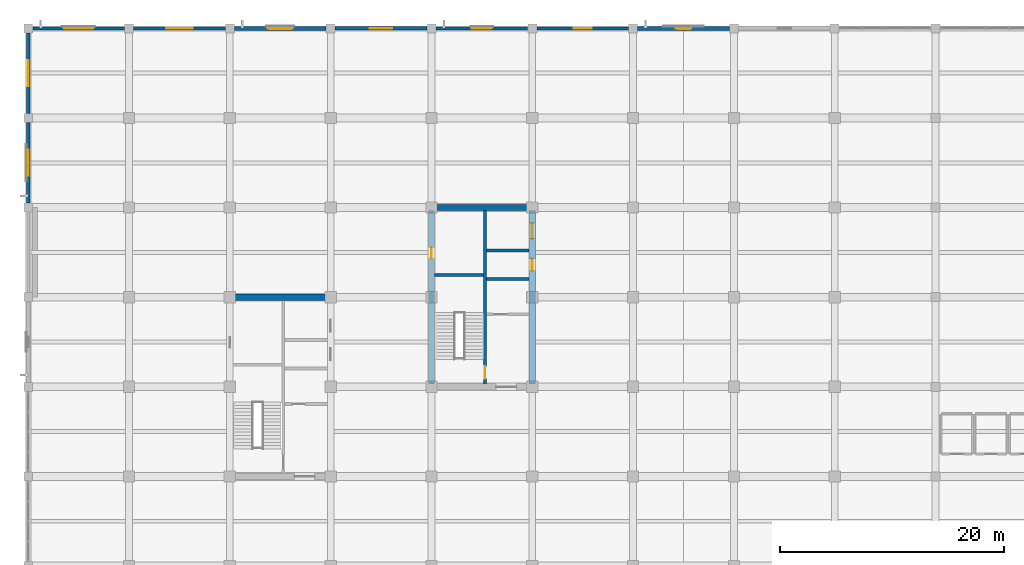
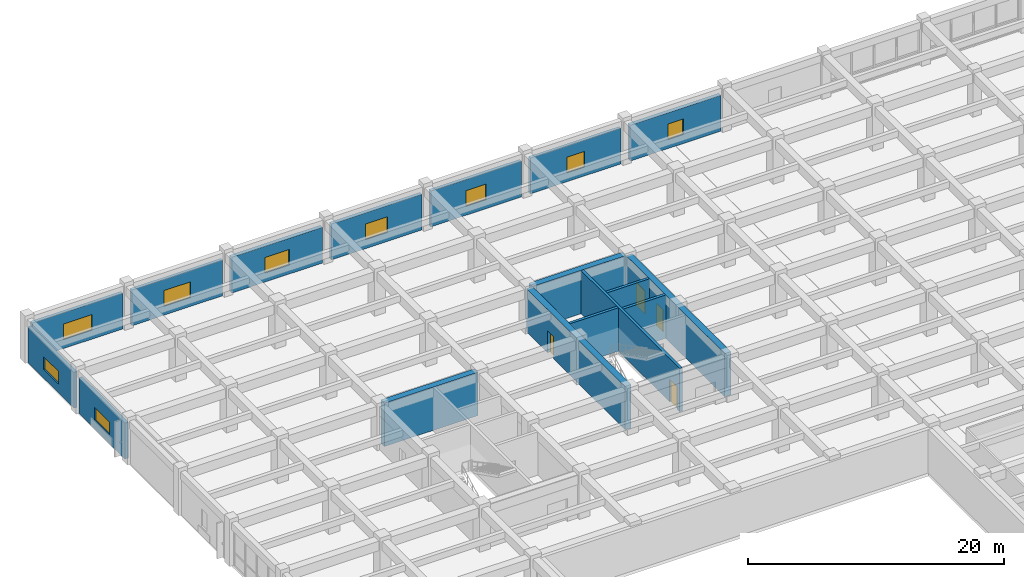
# One storey, part 30 of 50: 17 walls, 9 windows, 4 doors, 13 openings.
"""IFC4 building model written with IfcOpenShell, lengths in metres."""

from ifc_helpers import new_model, si_unit, direction, frame, frame_2d, origin, place, context, subcontext, project, spatial, rectangle, extrude, material, layer, layer_set, type_object, element, fill, save


model = new_model("IFC4")

# Units and contexts
model_context = context("Model", 3, precision=1e-05, world=origin(), true_north=direction((0.0, 1.0)))
body_context = subcontext(model_context, "Body", "Model", "MODEL_VIEW")
ifc_project = project(units=[si_unit("LENGTHUNIT", "METRE"), si_unit("AREAUNIT", "SQUARE_METRE"), si_unit("VOLUMEUNIT", "CUBIC_METRE"), si_unit("PLANEANGLEUNIT", "RADIAN"), si_unit("MASSUNIT", "GRAM", prefix="KILO")], contexts=[model_context])

# Site, building, storey
site_placement = place(None, origin())
site = spatial("IfcSite", under=ifc_project, at=site_placement, CompositionType="ELEMENT")
building_placement = place(site_placement, origin())
building = spatial("IfcBuilding", under=site, at=building_placement, Name="Zaverband Oceanarium and Marine Research Institute", CompositionType="ELEMENT")
storey_placement = place(building_placement, frame((0.0, 0.0, 9.0)))
storey = spatial("IfcBuildingStorey", under=building, at=storey_placement, Name="L02", CompositionType="ELEMENT", Elevation=9.0)

# Walls
ifc_material_1 = material(Name="Concrete C50/60", Category="concrete")
ifc_layer_1 = layer(ifc_material_1, 0.550048828125, Name="Concrete C50/60")
ifc_layer_set_1 = layer_set([ifc_layer_1], Name="Concrete C50/60")
wall_type_1 = type_object("IfcWallType", Name="CW-01", PredefinedType="SHEAR", material=ifc_layer_set_1)
for number, where, z_axis, x_axis, name in (
    (1, (18.27490234375, 96.0, 0.0), (0.0, 0.0, 1.0), (1.0, 0.0, 0.0), "Structural shear wall CW-01"),
    (2, (36.27490234375, 104.0, 0.0), (0.0, 0.0, 1.0), (1.0, 0.0, 0.0), "Structural shear wall CW-01"),
):
    element("IfcWall", number, at=place(storey_placement, frame(where, z_axis=z_axis, x_axis=x_axis)), inside=storey, type_object=wall_type_1, Name=name, PredefinedType="SHEAR", context=body_context, shape_type="SweptSolid", body=[
        extrude(rectangle(XDim=8.4501953125, YDim=0.550048828125, at=frame_2d((4.22509765625, 0.0))), origin(), (0.0, 0.0, 1.0), 4.139892578125),
    ])

# Wall, opening, door
wall_1_placement = place(storey_placement, frame((36.0, 88.27490234375, 0.0), z_axis=(0.0, 0.0, 1.0), x_axis=(0.0, 1.0, 0.0)))
wall_1 = element("IfcWall", 3, at=wall_1_placement, inside=storey, type_object=wall_type_1, Name="Structural shear wall CW-01", PredefinedType="SHEAR", context=body_context, shape_type="SweptSolid", body=[
    extrude(rectangle(XDim=15.4501953125, YDim=0.550048828125, at=frame_2d((7.72509765625, 0.0))), origin(), (0.0, 0.0, 1.0), 4.139892578125),
])
opening_1_placement = place(wall_1_placement, frame((11.199951171875, 0.0, 0.0)))
opening_1 = element("IfcOpeningElement", 4, at=opening_1_placement, cuts=wall_1, Name="Opening FD-03", PredefinedType="OPENING", context=body_context, shape_type="SweptSolid", body=[
    extrude(rectangle(XDim=0.949951171875, YDim=2.10009765625, at=frame_2d((0.47509765625, 1.050048828125))), frame((0.0, 0.287109375, 0.0), z_axis=(0.0, -1.0, 0.0), x_axis=(1.0, 0.0, 0.0)), (0.0, 0.0, 1.0), 0.573974609375),
])
ifc_material_2 = material(Name="Steel S355", Category="steel")
door_type_1 = type_object("IfcDoorType", Name="FD-03", OperationType="NOTDEFINED", PredefinedType="DOOR", material=ifc_material_2)
door_1_placement = place(opening_1_placement, origin())
door_1 = element("IfcDoor", 5, at=door_1_placement, inside=storey, type_object=door_type_1, Name="Service riser access fire door FD-03", OperationType="SINGLE_SWING_RIGHT", OverallHeight=2.10009765625, OverallWidth=0.949951171875, PredefinedType="DOOR", context=body_context, shape_type="SweptSolid", body=[
    extrude(rectangle(XDim=0.949951171875, YDim=2.10009765625, at=frame_2d((0.47509765625, 1.050048828125))), frame((0.0, 0.02490234375, 0.0), z_axis=(0.0, -1.0, 0.0), x_axis=(1.0, 0.0, 0.0)), (0.0, 0.0, 1.0), 0.050048828125),
])
fill(opening_1, door_1)

# Wall, openings, doors
wall_2_placement = place(storey_placement, frame((45.0, 88.27490234375, 0.0), z_axis=(0.0, 0.0, 1.0), x_axis=(0.0, 1.0, 0.0)))
wall_2 = element("IfcWall", 6, at=wall_2_placement, inside=storey, type_object=wall_type_1, Name="Structural shear wall CW-01", PredefinedType="SHEAR", context=body_context, shape_type="SweptSolid", body=[
    extrude(rectangle(XDim=15.4501953125, YDim=0.550048828125, at=frame_2d((7.72509765625, 0.0))), origin(), (0.0, 0.0, 1.0), 4.139892578125),
])
opening_2_placement = place(wall_2_placement, frame((10.10009765625, 0.0, 0.0)))
opening_2 = element("IfcOpeningElement", 7, at=opening_2_placement, cuts=wall_2, Name="Opening LD-02", PredefinedType="OPENING", context=body_context, shape_type="SweptSolid", body=[
    extrude(rectangle(XDim=1.050048828125, YDim=2.1201171875, at=frame_2d((0.52490234375, 1.06005859375))), frame((0.0, 0.287109375, 0.0), z_axis=(0.0, -1.0, 0.0), x_axis=(1.0, 0.0, 0.0)), (0.0, 0.0, 1.0), 0.573974609375),
])
opening_3_placement = place(wall_2_placement, frame((12.949951171875, 0.0, 0.0)))
opening_3 = element("IfcOpeningElement", 8, at=opening_3_placement, cuts=wall_2, Name="Opening LD-03", PredefinedType="OPENING", context=body_context, shape_type="SweptSolid", body=[
    extrude(rectangle(XDim=1.39990234375, YDim=2.199951171875, at=frame_2d((0.699951171875, 1.10009765625))), frame((0.0, 0.287109375, 0.0), z_axis=(0.0, -1.0, 0.0), x_axis=(1.0, 0.0, 0.0)), (0.0, 0.0, 1.0), 0.573974609375),
])
door_type_2 = type_object("IfcDoorType", Name="LD-02", OperationType="DOUBLE_DOOR_SLIDING", PredefinedType="DOOR", material=ifc_material_2)
door_2_placement = place(opening_2_placement, origin())
door_2 = element("IfcDoor", 9, at=door_2_placement, inside=storey, type_object=door_type_2, Name="Passenger lift sliding landing door LD-02", OperationType="DOUBLE_DOOR_SLIDING", OverallHeight=2.1201171875, OverallWidth=1.050048828125, PredefinedType="DOOR", context=body_context, shape_type="SweptSolid", body=[
    extrude(rectangle(XDim=1.050048828125, YDim=2.1201171875, at=frame_2d((0.52490234375, 1.06005859375))), frame((0.0, 0.02490234375, 0.0), z_axis=(0.0, -1.0, 0.0), x_axis=(1.0, 0.0, 0.0)), (0.0, 0.0, 1.0), 0.050048828125),
])
fill(opening_2, door_2)
door_type_3 = type_object("IfcDoorType", Name="LD-03", OperationType="DOUBLE_DOOR_SLIDING", PredefinedType="DOOR", material=ifc_material_2)
door_3_placement = place(opening_3_placement, origin())
door_3 = element("IfcDoor", 10, at=door_3_placement, inside=storey, type_object=door_type_3, Name="Specimen goods lift sliding landing door LD-03", OperationType="DOUBLE_DOOR_SLIDING", OverallHeight=2.199951171875, OverallWidth=1.39990234375, PredefinedType="DOOR", context=body_context, shape_type="SweptSolid", body=[
    extrude(rectangle(XDim=1.39990234375, YDim=2.199951171875, at=frame_2d((0.699951171875, 1.10009765625))), frame((0.0, 0.02490234375, 0.0), z_axis=(0.0, -1.0, 0.0), x_axis=(1.0, 0.0, 0.0)), (0.0, 0.0, 1.0), 0.050048828125),
])
fill(opening_3, door_3)

# Wall, opening, window
ifc_material_3 = material(Name="Concrete C40/50 precast", Category="concrete")
ifc_layer_2 = layer(ifc_material_3, 0.264892578125, Name="Concrete C40/50 precast")
ifc_layer_set_2 = layer_set([ifc_layer_2], Name="Concrete C40/50 precast")
wall_type_2 = type_object("IfcWallType", Name="EW-265", PredefinedType="STANDARD", material=ifc_layer_set_2)
wall_3_placement = place(storey_placement, frame((9.405029296875, 120.0, 0.0), z_axis=(0.0, 0.0, 1.0), x_axis=(1.0, 0.0, 0.0)))
wall_3 = element("IfcWall", 11, at=wall_3_placement, inside=storey, type_object=wall_type_2, Name="Exterior infill wall EW-265", PredefinedType="STANDARD", context=body_context, shape_type="SweptSolid", body=[
    extrude(rectangle(XDim=8.18994140625, YDim=0.264892578125, at=frame_2d((4.094970703125, 0.0))), origin(), (0.0, 0.0, 1.0), 3.419921875),
])
opening_4_placement = place(wall_3_placement, frame((2.89501953125, 0.0, 0.85009765625)))
opening_4 = element("IfcOpeningElement", 12, at=opening_4_placement, cuts=wall_3, Name="Opening WN-2400x1500", PredefinedType="OPENING", context=body_context, shape_type="SweptSolid", body=[
    extrude(rectangle(XDim=2.39990234375, YDim=1.5, at=frame_2d((1.199951171875, 0.75))), frame((0.0, 0.14453125, 0.0), z_axis=(0.0, -1.0, 0.0), x_axis=(1.0, 0.0, 0.0)), (0.0, 0.0, 1.0), 0.288818359375),
])
ifc_material_4 = material(Name="Thermally broken anodized aluminium and solar-control glass", Category="aluminium")
window_type_1 = type_object("IfcWindowType", Name="WN-2400x1500", PartitioningType="SINGLE_PANEL", PredefinedType="WINDOW", material=ifc_material_4)
window_1_placement = place(opening_4_placement, origin())
window_1 = element("IfcWindow", 13, at=window_1_placement, inside=storey, type_object=window_type_1, Name="Fixed / casement exterior window WN-2400x1500", OverallHeight=1.5, OverallWidth=2.39990234375, PartitioningType="SINGLE_PANEL", PredefinedType="WINDOW", context=body_context, shape_type="SweptSolid", body=[
    extrude(rectangle(XDim=2.39990234375, YDim=1.5, at=frame_2d((1.199951171875, 0.75))), frame((0.0, 0.030029296875, 0.0), z_axis=(0.0, -1.0, 0.0), x_axis=(1.0, 0.0, 0.0)), (0.0, 0.0, 1.0), 0.06005859375),
])
fill(opening_4, window_1)

wall_4_placement = place(storey_placement, frame((45.405029296875, 120.0, 0.0), z_axis=(0.0, 0.0, 1.0), x_axis=(1.0, 0.0, 0.0)))
wall_4 = element("IfcWall", 14, at=wall_4_placement, inside=storey, type_object=wall_type_2, Name="Exterior infill wall EW-265", PredefinedType="STANDARD", context=body_context, shape_type="SweptSolid", body=[
    extrude(rectangle(XDim=8.18994140625, YDim=0.264892578125, at=frame_2d((4.094970703125, 0.0))), origin(), (0.0, 0.0, 1.0), 3.419921875),
])
opening_5_placement = place(wall_4_placement, frame((3.294921875, 0.0, 0.85009765625)))
opening_5 = element("IfcOpeningElement", 15, at=opening_5_placement, cuts=wall_4, Name="Opening WN-1600x1500", PredefinedType="OPENING", context=body_context, shape_type="SweptSolid", body=[
    extrude(rectangle(XDim=1.60009765625, YDim=1.5, at=frame_2d((0.800048828125, 0.75))), frame((0.0, 0.14453125, 0.0), z_axis=(0.0, -1.0, 0.0), x_axis=(1.0, 0.0, 0.0)), (0.0, 0.0, 1.0), 0.288818359375),
])
window_type_2 = type_object("IfcWindowType", Name="WN-1600x1500", PartitioningType="SINGLE_PANEL", PredefinedType="WINDOW", material=ifc_material_4)
window_2_placement = place(opening_5_placement, origin())
window_2 = element("IfcWindow", 16, at=window_2_placement, inside=storey, type_object=window_type_2, Name="Fixed / casement exterior window WN-1600x1500", OverallHeight=1.5, OverallWidth=1.60009765625, PartitioningType="SINGLE_PANEL", PredefinedType="WINDOW", context=body_context, shape_type="SweptSolid", body=[
    extrude(rectangle(XDim=1.60009765625, YDim=1.5, at=frame_2d((0.800048828125, 0.75))), frame((0.0, 0.030029296875, 0.0), z_axis=(0.0, -1.0, 0.0), x_axis=(1.0, 0.0, 0.0)), (0.0, 0.0, 1.0), 0.06005859375),
])
fill(opening_5, window_2)

ifc_layer_3 = layer(ifc_material_3, 0.2900390625, Name="Concrete C40/50 precast")
ifc_layer_set_3 = layer_set([ifc_layer_3], Name="Concrete C40/50 precast")
wall_type_3 = type_object("IfcWallType", Name="EW-290", PredefinedType="STANDARD", material=ifc_layer_set_3)
wall_5_placement = place(storey_placement, frame((0.405029296875, 120.0, 0.0), z_axis=(0.0, 0.0, 1.0), x_axis=(1.0, 0.0, 0.0)))
wall_5 = element("IfcWall", 17, at=wall_5_placement, inside=storey, type_object=wall_type_3, Name="Exterior infill wall EW-290", PredefinedType="STANDARD", context=body_context, shape_type="SweptSolid", body=[
    extrude(rectangle(XDim=8.18994140625, YDim=0.2900390625, at=frame_2d((4.094970703125, 0.0))), origin(), (0.0, 0.0, 1.0), 3.419921875),
])
opening_6_placement = place(wall_5_placement, frame((2.794921875, 0.0, 0.85009765625)))
opening_6 = element("IfcOpeningElement", 18, at=opening_6_placement, cuts=wall_5, Name="Opening WN-2600x1500", PredefinedType="OPENING", context=body_context, shape_type="SweptSolid", body=[
    extrude(rectangle(XDim=2.60009765625, YDim=1.5, at=frame_2d((1.300048828125, 0.75))), frame((0.0, 0.156982421875, 0.0), z_axis=(0.0, -1.0, 0.0), x_axis=(1.0, 0.0, 0.0)), (0.0, 0.0, 1.0), 0.31396484375),
])
window_type_3 = type_object("IfcWindowType", Name="WN-2600x1500", PartitioningType="SINGLE_PANEL", PredefinedType="WINDOW", material=ifc_material_4)
window_3_placement = place(opening_6_placement, origin())
window_3 = element("IfcWindow", 19, at=window_3_placement, inside=storey, type_object=window_type_3, Name="Fixed / casement exterior window WN-2600x1500", OverallHeight=1.5, OverallWidth=2.60009765625, PartitioningType="SINGLE_PANEL", PredefinedType="WINDOW", context=body_context, shape_type="SweptSolid", body=[
    extrude(rectangle(XDim=2.60009765625, YDim=1.5, at=frame_2d((1.300048828125, 0.75))), frame((0.0, 0.030029296875, 0.0), z_axis=(0.0, -1.0, 0.0), x_axis=(1.0, 0.0, 0.0)), (0.0, 0.0, 1.0), 0.06005859375),
])
fill(opening_6, window_3)

wall_6_placement = place(storey_placement, frame((36.405029296875, 120.0, 0.0), z_axis=(0.0, 0.0, 1.0), x_axis=(1.0, 0.0, 0.0)))
wall_6 = element("IfcWall", 20, at=wall_6_placement, inside=storey, type_object=wall_type_3, Name="Exterior infill wall EW-290", PredefinedType="STANDARD", context=body_context, shape_type="SweptSolid", body=[
    extrude(rectangle(XDim=8.18994140625, YDim=0.2900390625, at=frame_2d((4.094970703125, 0.0))), origin(), (0.0, 0.0, 1.0), 3.419921875),
])
opening_7_placement = place(wall_6_placement, frame((3.195068359375, 0.0, 0.85009765625)))
opening_7 = element("IfcOpeningElement", 21, at=opening_7_placement, cuts=wall_6, Name="Opening WN-1800x1500", PredefinedType="OPENING", context=body_context, shape_type="SweptSolid", body=[
    extrude(rectangle(XDim=1.800048828125, YDim=1.5, at=frame_2d((0.89990234375, 0.75))), frame((0.0, 0.156982421875, 0.0), z_axis=(0.0, -1.0, 0.0), x_axis=(1.0, 0.0, 0.0)), (0.0, 0.0, 1.0), 0.31396484375),
])
window_type_4 = type_object("IfcWindowType", Name="WN-1800x1500", PartitioningType="SINGLE_PANEL", PredefinedType="WINDOW", material=ifc_material_4)
window_4_placement = place(opening_7_placement, origin())
window_4 = element("IfcWindow", 22, at=window_4_placement, inside=storey, type_object=window_type_4, Name="Fixed / casement exterior window WN-1800x1500", OverallHeight=1.5, OverallWidth=1.800048828125, PartitioningType="SINGLE_PANEL", PredefinedType="WINDOW", context=body_context, shape_type="SweptSolid", body=[
    extrude(rectangle(XDim=1.800048828125, YDim=1.5, at=frame_2d((0.89990234375, 0.75))), frame((0.0, 0.030029296875, 0.0), z_axis=(0.0, -1.0, 0.0), x_axis=(1.0, 0.0, 0.0)), (0.0, 0.0, 1.0), 0.06005859375),
])
fill(opening_7, window_4)

wall_7_placement = place(storey_placement, frame((0.0, 112.405029296875, 0.0), z_axis=(0.0, 0.0, 1.0), x_axis=(0.0, 1.0, 0.0)))
wall_7 = element("IfcWall", 23, at=wall_7_placement, inside=storey, type_object=wall_type_3, Name="Exterior infill wall EW-290", PredefinedType="STANDARD", context=body_context, shape_type="SweptSolid", body=[
    extrude(rectangle(XDim=7.18994140625, YDim=0.2900390625, at=frame_2d((3.594970703125, 0.0))), origin(), (0.0, 0.0, 1.0), 3.419921875),
])
opening_8_placement = place(wall_7_placement, frame((2.445068359375, 0.0, 0.85009765625)))
opening_8 = element("IfcOpeningElement", 24, at=opening_8_placement, cuts=wall_7, Name="Opening WN-2300x1200", PredefinedType="OPENING", context=body_context, shape_type="SweptSolid", body=[
    extrude(rectangle(XDim=2.300048828125, YDim=1.199951171875, at=frame_2d((1.14990234375, 0.60009765625))), frame((0.0, 0.156982421875, 0.0), z_axis=(0.0, -1.0, 0.0), x_axis=(1.0, 0.0, 0.0)), (0.0, 0.0, 1.0), 0.31396484375),
])
window_type_5 = type_object("IfcWindowType", Name="WN-2300x1200", PartitioningType="SINGLE_PANEL", PredefinedType="WINDOW", material=ifc_material_4)
window_5_placement = place(opening_8_placement, origin())
window_5 = element("IfcWindow", 25, at=window_5_placement, inside=storey, type_object=window_type_5, Name="Fixed / casement exterior window WN-2300x1200", OverallHeight=1.199951171875, OverallWidth=2.300048828125, PartitioningType="SINGLE_PANEL", PredefinedType="WINDOW", context=body_context, shape_type="SweptSolid", body=[
    extrude(rectangle(XDim=2.300048828125, YDim=1.199951171875, at=frame_2d((1.14990234375, 0.60009765625))), frame((0.0, 0.030029296875, 0.0), z_axis=(0.0, -1.0, 0.0), x_axis=(1.0, 0.0, 0.0)), (0.0, 0.0, 1.0), 0.06005859375),
])
fill(opening_8, window_5)

ifc_layer_4 = layer(ifc_material_3, 0.31005859375, Name="Concrete C40/50 precast")
ifc_layer_set_4 = layer_set([ifc_layer_4], Name="Concrete C40/50 precast")
wall_type_4 = type_object("IfcWallType", Name="EW-310", PredefinedType="STANDARD", material=ifc_layer_set_4)
wall_8_placement = place(storey_placement, frame((27.405029296875, 120.0, 0.0), z_axis=(0.0, 0.0, 1.0), x_axis=(1.0, 0.0, 0.0)))
wall_8 = element("IfcWall", 26, at=wall_8_placement, inside=storey, type_object=wall_type_4, Name="Exterior infill wall EW-310", PredefinedType="STANDARD", context=body_context, shape_type="SweptSolid", body=[
    extrude(rectangle(XDim=8.18994140625, YDim=0.31005859375, at=frame_2d((4.094970703125, 0.0))), origin(), (0.0, 0.0, 1.0), 3.419921875),
])
opening_9_placement = place(wall_8_placement, frame((3.094970703125, 0.0, 0.85009765625)))
opening_9 = element("IfcOpeningElement", 27, at=opening_9_placement, cuts=wall_8, Name="Opening WN-2000x1500", PredefinedType="OPENING", context=body_context, shape_type="SweptSolid", body=[
    extrude(rectangle(XDim=2.0, YDim=1.5, at=frame_2d((1.0, 0.75))), frame((0.0, 0.1669921875, 0.0), z_axis=(0.0, -1.0, 0.0), x_axis=(1.0, 0.0, 0.0)), (0.0, 0.0, 1.0), 0.333984375),
])
window_type_6 = type_object("IfcWindowType", Name="WN-2000x1500", PartitioningType="SINGLE_PANEL", PredefinedType="WINDOW", material=ifc_material_4)
window_6_placement = place(opening_9_placement, origin())
window_6 = element("IfcWindow", 28, at=window_6_placement, inside=storey, type_object=window_type_6, Name="Fixed / casement exterior window WN-2000x1500", OverallHeight=1.5, OverallWidth=2.0, PartitioningType="SINGLE_PANEL", PredefinedType="WINDOW", context=body_context, shape_type="SweptSolid", body=[
    extrude(rectangle(XDim=2.0, YDim=1.5, at=frame_2d((1.0, 0.75))), frame((0.0, 0.030029296875, 0.0), z_axis=(0.0, -1.0, 0.0), x_axis=(1.0, 0.0, 0.0)), (0.0, 0.0, 1.0), 0.06005859375),
])
fill(opening_9, window_6)

wall_9_placement = place(storey_placement, frame((0.0, 104.405029296875, 0.0), z_axis=(0.0, 0.0, 1.0), x_axis=(0.0, 1.0, 0.0)))
wall_9 = element("IfcWall", 29, at=wall_9_placement, inside=storey, type_object=wall_type_4, Name="Exterior infill wall EW-310", PredefinedType="STANDARD", context=body_context, shape_type="SweptSolid", body=[
    extrude(rectangle(XDim=7.18994140625, YDim=0.31005859375, at=frame_2d((3.594970703125, 0.0))), origin(), (0.0, 0.0, 1.0), 3.419921875),
])
opening_10_placement = place(wall_9_placement, frame((2.445068359375, 0.0, 0.85009765625)))
opening_10 = element("IfcOpeningElement", 30, at=opening_10_placement, cuts=wall_9, Name="Opening WN-2300x1200", PredefinedType="OPENING", context=body_context, shape_type="SweptSolid", body=[
    extrude(rectangle(XDim=2.300048828125, YDim=1.199951171875, at=frame_2d((1.14990234375, 0.60009765625))), frame((0.0, 0.1669921875, 0.0), z_axis=(0.0, -1.0, 0.0), x_axis=(1.0, 0.0, 0.0)), (0.0, 0.0, 1.0), 0.333984375),
])
window_7_placement = place(opening_10_placement, origin())
window_7 = element("IfcWindow", 31, at=window_7_placement, inside=storey, type_object=window_type_5, Name="Fixed / casement exterior window WN-2300x1200", OverallHeight=1.199951171875, OverallWidth=2.300048828125, PartitioningType="SINGLE_PANEL", PredefinedType="WINDOW", context=body_context, shape_type="SweptSolid", body=[
    extrude(rectangle(XDim=2.300048828125, YDim=1.199951171875, at=frame_2d((1.14990234375, 0.60009765625))), frame((0.0, 0.030029296875, 0.0), z_axis=(0.0, -1.0, 0.0), x_axis=(1.0, 0.0, 0.0)), (0.0, 0.0, 1.0), 0.06005859375),
])
fill(opening_10, window_7)

ifc_layer_5 = layer(ifc_material_3, 0.340087890625, Name="Concrete C40/50 precast")
ifc_layer_set_5 = layer_set([ifc_layer_5], Name="Concrete C40/50 precast")
wall_type_5 = type_object("IfcWallType", Name="EW-340", PredefinedType="STANDARD", material=ifc_layer_set_5)
wall_10_placement = place(storey_placement, frame((18.405029296875, 120.0, 0.0), z_axis=(0.0, 0.0, 1.0), x_axis=(1.0, 0.0, 0.0)))
wall_10 = element("IfcWall", 32, at=wall_10_placement, inside=storey, type_object=wall_type_5, Name="Exterior infill wall EW-340", PredefinedType="STANDARD", context=body_context, shape_type="SweptSolid", body=[
    extrude(rectangle(XDim=8.18994140625, YDim=0.340087890625, at=frame_2d((4.094970703125, 0.0))), origin(), (0.0, 0.0, 1.0), 3.419921875),
])
opening_11_placement = place(wall_10_placement, frame((2.9951171875, 0.0, 0.85009765625)))
opening_11 = element("IfcOpeningElement", 33, at=opening_11_placement, cuts=wall_10, Name="Opening WN-2200x1500", PredefinedType="OPENING", context=body_context, shape_type="SweptSolid", body=[
    extrude(rectangle(XDim=2.199951171875, YDim=1.5, at=frame_2d((1.10009765625, 0.75))), frame((0.0, 0.18212890625, 0.0), z_axis=(0.0, -1.0, 0.0), x_axis=(1.0, 0.0, 0.0)), (0.0, 0.0, 1.0), 0.364013671875),
])
window_type_7 = type_object("IfcWindowType", Name="WN-2200x1500", PartitioningType="SINGLE_PANEL", PredefinedType="WINDOW", material=ifc_material_4)
window_8_placement = place(opening_11_placement, origin())
window_8 = element("IfcWindow", 34, at=window_8_placement, inside=storey, type_object=window_type_7, Name="Fixed / casement exterior window WN-2200x1500", OverallHeight=1.5, OverallWidth=2.199951171875, PartitioningType="SINGLE_PANEL", PredefinedType="WINDOW", context=body_context, shape_type="SweptSolid", body=[
    extrude(rectangle(XDim=2.199951171875, YDim=1.5, at=frame_2d((1.10009765625, 0.75))), frame((0.0, 0.030029296875, 0.0), z_axis=(0.0, -1.0, 0.0), x_axis=(1.0, 0.0, 0.0)), (0.0, 0.0, 1.0), 0.06005859375),
])
fill(opening_11, window_8)

wall_11_placement = place(storey_placement, frame((54.405029296875, 120.0, 0.0), z_axis=(0.0, 0.0, 1.0), x_axis=(1.0, 0.0, 0.0)))
wall_11 = element("IfcWall", 35, at=wall_11_placement, inside=storey, type_object=wall_type_5, Name="Exterior infill wall EW-340", PredefinedType="STANDARD", context=body_context, shape_type="SweptSolid", body=[
    extrude(rectangle(XDim=8.18994140625, YDim=0.340087890625, at=frame_2d((4.094970703125, 0.0))), origin(), (0.0, 0.0, 1.0), 3.419921875),
])
opening_12_placement = place(wall_11_placement, frame((3.39501953125, 0.0, 0.85009765625)))
opening_12 = element("IfcOpeningElement", 36, at=opening_12_placement, cuts=wall_11, Name="Opening WN-1400x1500", PredefinedType="OPENING", context=body_context, shape_type="SweptSolid", body=[
    extrude(rectangle(XDim=1.39990234375, YDim=1.5, at=frame_2d((0.699951171875, 0.75))), frame((0.0, 0.18212890625, 0.0), z_axis=(0.0, -1.0, 0.0), x_axis=(1.0, 0.0, 0.0)), (0.0, 0.0, 1.0), 0.364013671875),
])
window_type_8 = type_object("IfcWindowType", Name="WN-1400x1500", PartitioningType="SINGLE_PANEL", PredefinedType="WINDOW", material=ifc_material_4)
window_9_placement = place(opening_12_placement, origin())
window_9 = element("IfcWindow", 37, at=window_9_placement, inside=storey, type_object=window_type_8, Name="Fixed / casement exterior window WN-1400x1500", OverallHeight=1.5, OverallWidth=1.39990234375, PartitioningType="SINGLE_PANEL", PredefinedType="WINDOW", context=body_context, shape_type="SweptSolid", body=[
    extrude(rectangle(XDim=1.39990234375, YDim=1.5, at=frame_2d((0.699951171875, 0.75))), frame((0.0, 0.030029296875, 0.0), z_axis=(0.0, -1.0, 0.0), x_axis=(1.0, 0.0, 0.0)), (0.0, 0.0, 1.0), 0.06005859375),
])
fill(opening_12, window_9)

# Wall, opening, door
ifc_layer_6 = layer(ifc_material_1, 0.25, Name="Concrete C50/60")
ifc_layer_set_6 = layer_set([ifc_layer_6], Name="Concrete C50/60")
wall_type_6 = type_object("IfcWallType", Name="PW-CORE-250", PredefinedType="SOLIDWALL", material=ifc_layer_set_6)
wall_12_placement = place(storey_placement, frame((40.77490234375, 88.27490234375, 0.0), z_axis=(0.0, 0.0, 1.0), x_axis=(0.0, 1.0, 0.0)))
wall_12 = element("IfcWall", 38, at=wall_12_placement, inside=storey, type_object=wall_type_6, Name="Structural concrete wall PW-CORE-250", PredefinedType="SOLIDWALL", context=body_context, shape_type="SweptSolid", body=[
    extrude(rectangle(XDim=15.4501953125, YDim=0.25, at=frame_2d((7.72509765625, 0.0))), origin(), (0.0, 0.0, 1.0), 4.139892578125),
])
opening_13_placement = place(wall_12_placement, frame((0.449951171875, 0.0, 0.0)))
opening_13 = element("IfcOpeningElement", 39, at=opening_13_placement, cuts=wall_12, Name="Opening FD-01", PredefinedType="OPENING", context=body_context, shape_type="SweptSolid", body=[
    extrude(rectangle(XDim=1.10009765625, YDim=2.14990234375, at=frame_2d((0.550048828125, 1.074951171875))), frame((0.0, 0.136962890625, 0.0), z_axis=(0.0, -1.0, 0.0), x_axis=(1.0, 0.0, 0.0)), (0.0, 0.0, 1.0), 0.27392578125),
])
door_type_4 = type_object("IfcDoorType", Name="FD-01", OperationType="NOTDEFINED", PredefinedType="DOOR", material=ifc_material_2)
door_4_placement = place(opening_13_placement, origin())
door_4 = element("IfcDoor", 40, at=door_4_placement, inside=storey, type_object=door_type_4, Name="Core stair / lobby fire door FD-01", OperationType="SINGLE_SWING_LEFT", OverallHeight=2.14990234375, OverallWidth=1.10009765625, PredefinedType="DOOR", context=body_context, shape_type="SweptSolid", body=[
    extrude(rectangle(XDim=1.10009765625, YDim=2.14990234375, at=frame_2d((0.550048828125, 1.074951171875))), frame((0.0, 0.02490234375, 0.0), z_axis=(0.0, -1.0, 0.0), x_axis=(1.0, 0.0, 0.0)), (0.0, 0.0, 1.0), 0.050048828125),
])
fill(opening_13, door_4)

# Walls
wall_13_placement = place(storey_placement, frame((36.27490234375, 97.97509765625, 0.0), z_axis=(0.0, 0.0, 1.0), x_axis=(1.0, 0.0, 0.0)))
element("IfcWall", 41, at=wall_13_placement, inside=storey, type_object=wall_type_6, Name="Structural concrete wall PW-CORE-250", PredefinedType="SOLIDWALL", context=body_context, shape_type="SweptSolid", body=[
    extrude(rectangle(XDim=4.3701171875, YDim=0.25, at=frame_2d((2.18505859375, 0.0))), origin(), (0.0, 0.0, 1.0), 4.139892578125),
])
for number, where, z_axis, x_axis, name in (
    (42, (40.905029296875, 97.6298828125, 0.0), (0.0, 0.0, 1.0), (1.0, 0.0, 0.0), "Structural concrete wall PW-CORE-250"),
    (43, (40.905029296875, 100.179931640625, 0.0), (0.0, 0.0, 1.0), (1.0, 0.0, 0.0), "Structural concrete wall PW-CORE-250"),
):
    element("IfcWall", number, at=place(storey_placement, frame(where, z_axis=z_axis, x_axis=x_axis)), inside=storey, type_object=wall_type_6, Name=name, PredefinedType="SOLIDWALL", context=body_context, shape_type="SweptSolid", body=[
        extrude(rectangle(XDim=3.820068359375, YDim=0.25, at=frame_2d((1.91015625, 0.0))), origin(), (0.0, 0.0, 1.0), 4.139892578125),
    ])

save(model, "model.ifc")
